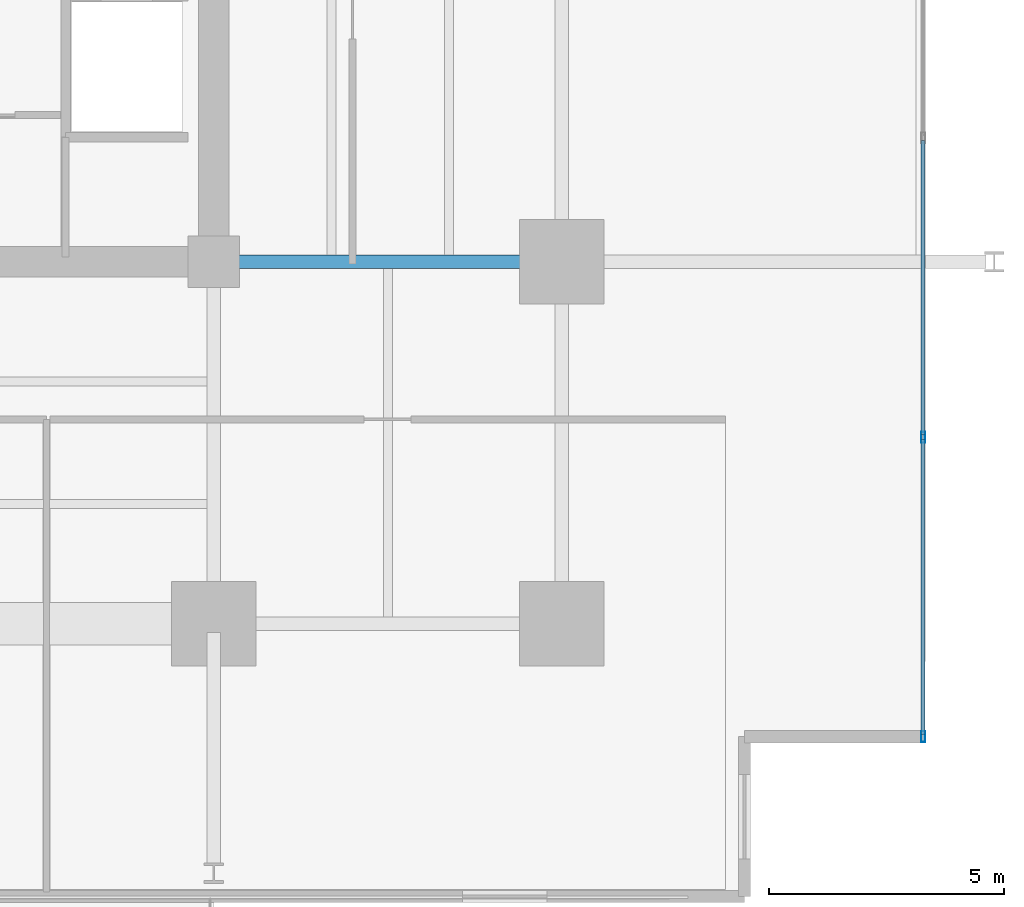
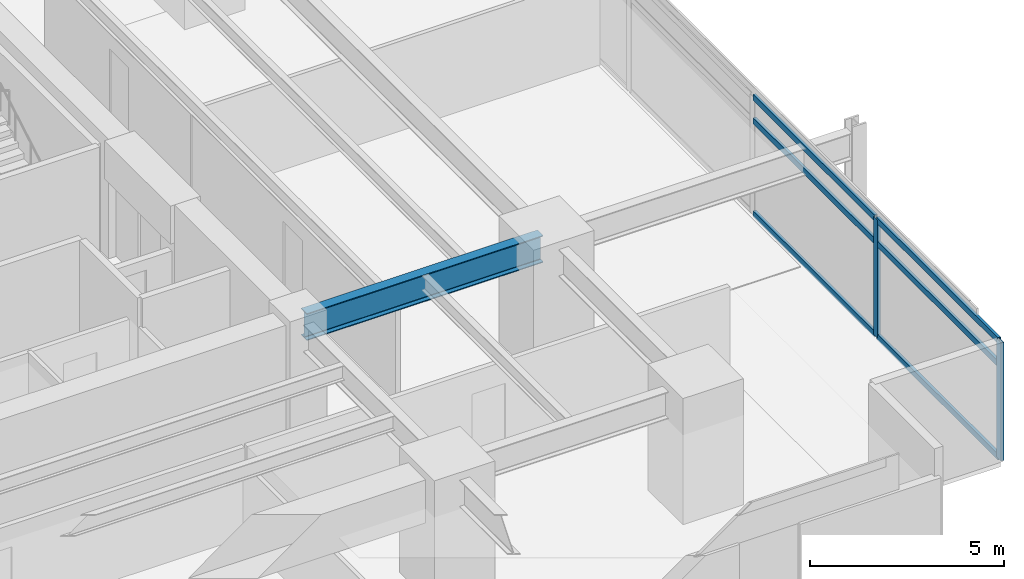
# One storey, part 7 of 22: 8 members, 1 beam, 1 element without a shape of its own.
"""IFC4 building model written with IfcOpenShell, lengths in metres."""

from ifc_helpers import new_model, si_unit, direction, frame, origin, origin_2d, place, context, subcontext, project, spatial, hollow_rectangle, i_section, extrude, material, material_profile, profile_set, type_object, element, aggregate, save


model = new_model("IFC4")

# Units and contexts
model_context = context("Model", 3, precision=1e-05, world=origin(), true_north=direction((0.0, 1.0)))
body_context = subcontext(model_context, "Body", "Model", "MODEL_VIEW")
ifc_project = project(units=[si_unit("LENGTHUNIT", "METRE"), si_unit("AREAUNIT", "SQUARE_METRE"), si_unit("VOLUMEUNIT", "CUBIC_METRE"), si_unit("PLANEANGLEUNIT", "RADIAN"), si_unit("MASSUNIT", "GRAM", prefix="KILO")], contexts=[model_context])

# Site, building, storey
site_placement = place(None, origin())
site = spatial("IfcSite", under=ifc_project, at=site_placement, CompositionType="ELEMENT")
building_placement = place(site_placement, origin())
building = spatial("IfcBuilding", under=site, at=building_placement, Name="Kovane Verandah Tower", CompositionType="ELEMENT")
storey_placement = place(building_placement, frame((0.0, 0.0, 71.60009765625)))
storey = spatial("IfcBuildingStorey", under=building, at=storey_placement, Name="L16", CompositionType="ELEMENT", Elevation=71.60009765625)

# Beam
ifc_material_1 = material(Name="Steel S355", Category="steel")
ifc_material_profile_1 = material_profile(ifc_material_1, i_section(OverallWidth=0.293701171875, OverallDepth=0.850830078125, WebThickness=0.01611328125, FlangeThickness=0.02685546875, FilletRadius=0.017822265625, at=origin_2d()), Name="UB838x292x226")
ifc_profile_set_1 = profile_set([ifc_material_profile_1], Name="Steel S355")
beam_type = type_object("IfcBeamType", Name="BM-UB838x226", PredefinedType="BEAM", material=ifc_profile_set_1)
beam_placement = place(storey_placement, frame((51.179931640625, 18.5, 3.33447265625), z_axis=(1.0, 0.0, 0.0), x_axis=(0.0, 1.0, 0.0)))
element("IfcBeam", 1, at=beam_placement, inside=storey, type_object=beam_type, Name="L16 Primary Tower Girder G-E1", PredefinedType="BEAM", context=body_context, shape_type="SweptSolid", body=[
    extrude(i_section(OverallWidth=0.293701171875, OverallDepth=0.850830078125, WebThickness=0.01611328125, FlangeThickness=0.02685546875, FilletRadius=0.017822265625, at=origin_2d()), origin(), (0.0, 0.0, 1.0), 7.0400390625),
])

# Curtain wall, members
ifc_material_2 = material(Name="Champagne Anodised Aluminium Frame with Low-E Clear Laminated Glass", Category="aluminium")
curtain_wall_type = type_object("IfcCurtainWallType", Name="CW-SYS-02-LOW", PredefinedType="NOTDEFINED", material=ifc_material_2)
curtain_wall_placement = place(storey_placement, origin())
curtain_wall = element("IfcCurtainWall", 2, at=curtain_wall_placement, inside=storey, type_object=curtain_wall_type, Name="L16 E Unitised Curtain Wall", PredefinedType="NOTDEFINED")
ifc_material_3 = material(Name="Champagne Anodised Aluminium 6063-T6", Category="aluminium")
ifc_material_profile_2 = material_profile(ifc_material_3, hollow_rectangle(XDim=0.0849609375, YDim=0.22998046875, WallThickness=0.00390625, at=origin_2d()), Name="AL85x230x4")
ifc_profile_set_2 = profile_set([ifc_material_profile_2], Name="Champagne Anodised Aluminium 6063-T6")
member_type_1 = type_object("IfcMemberType", Name="CW-MUL-85x230", PredefinedType="MULLION", material=ifc_profile_set_2)
member_1_placement = place(storey_placement, frame((66.08642578125, 8.3994140625, 0.02001953125), z_axis=(0.0, 0.0, 1.0), x_axis=(1.0, 0.0, 0.0)))
member_1 = element("IfcMember", 3, at=member_1_placement, type_object=member_type_1, Name="L16 E Unitised Curtain Wall Mullion 1", PredefinedType="MULLION", context=body_context, shape_type="SweptSolid", body=[
    extrude(hollow_rectangle(XDim=0.0849609375, YDim=0.22998046875, WallThickness=0.00390625, at=origin_2d()), origin(), (0.0, 0.0, 1.0), 3.719970703125),
])
member_2_placement = place(storey_placement, frame((66.08642578125, 14.766357421875, 0.02001953125), z_axis=(0.0, 0.0, 1.0), x_axis=(1.0, 0.0, 0.0)))
member_2 = element("IfcMember", 4, at=member_2_placement, type_object=member_type_1, Name="L16 E Unitised Curtain Wall Mullion 2", PredefinedType="MULLION", context=body_context, shape_type="SweptSolid", body=[
    extrude(hollow_rectangle(XDim=0.0849609375, YDim=0.22998046875, WallThickness=0.00390625, at=origin_2d()), origin(), (0.0, 0.0, 1.0), 3.719970703125),
])
ifc_material_profile_3 = material_profile(ifc_material_3, hollow_rectangle(XDim=0.0849609375, YDim=0.18994140625, WallThickness=0.00390625, at=origin_2d()), Name="AL85x190x4")
ifc_profile_set_3 = profile_set([ifc_material_profile_3], Name="Champagne Anodised Aluminium 6063-T6")
member_type_2 = type_object("IfcMemberType", Name="CW-TRN-85x190", PredefinedType="USERDEFINED", material=ifc_profile_set_3)
member_3_placement = place(storey_placement, frame((66.08642578125, 8.449462890625, 0.0498046875), z_axis=(0.0, 1.0, 0.0), x_axis=(-1.0, 0.0, 0.0)))
member_3 = element("IfcMember", 5, at=member_3_placement, type_object=member_type_2, Name="L16 E Unitised Curtain Wall Transom TB Bay 1", ObjectType="TRANSOM", PredefinedType="USERDEFINED", context=body_context, shape_type="SweptSolid", body=[
    extrude(hollow_rectangle(XDim=0.0849609375, YDim=0.18994140625, WallThickness=0.00390625, at=origin_2d()), origin(), (0.0, 0.0, 1.0), 6.266845703125),
])
member_4_placement = place(storey_placement, frame((66.08642578125, 8.449462890625, 2.97998046875), z_axis=(0.0, 1.0, 0.0), x_axis=(-1.0, 0.0, 0.0)))
member_4 = element("IfcMember", 6, at=member_4_placement, type_object=member_type_2, Name="L16 E Unitised Curtain Wall Transom TM Bay 1", ObjectType="TRANSOM", PredefinedType="USERDEFINED", context=body_context, shape_type="SweptSolid", body=[
    extrude(hollow_rectangle(XDim=0.0849609375, YDim=0.18994140625, WallThickness=0.00390625, at=origin_2d()), origin(), (0.0, 0.0, 1.0), 6.266845703125),
])
member_5_placement = place(storey_placement, frame((66.08642578125, 8.449462890625, 3.7099609375), z_axis=(0.0, 1.0, 0.0), x_axis=(-1.0, 0.0, 0.0)))
member_5 = element("IfcMember", 7, at=member_5_placement, type_object=member_type_2, Name="L16 E Unitised Curtain Wall Transom TT Bay 1", ObjectType="TRANSOM", PredefinedType="USERDEFINED", context=body_context, shape_type="SweptSolid", body=[
    extrude(hollow_rectangle(XDim=0.0849609375, YDim=0.18994140625, WallThickness=0.00390625, at=origin_2d()), origin(), (0.0, 0.0, 1.0), 6.266845703125),
])
member_6_placement = place(storey_placement, frame((66.08642578125, 14.81640625, 0.0498046875), z_axis=(0.0, 1.0, 0.0), x_axis=(-1.0, 0.0, 0.0)))
member_6 = element("IfcMember", 8, at=member_6_placement, type_object=member_type_2, Name="L16 E Unitised Curtain Wall Transom TB Bay 2", ObjectType="TRANSOM", PredefinedType="USERDEFINED", context=body_context, shape_type="SweptSolid", body=[
    extrude(hollow_rectangle(XDim=0.0849609375, YDim=0.18994140625, WallThickness=0.00390625, at=origin_2d()), origin(), (0.0, 0.0, 1.0), 6.266845703125),
])
member_7_placement = place(storey_placement, frame((66.08642578125, 14.81640625, 2.97998046875), z_axis=(0.0, 1.0, 0.0), x_axis=(-1.0, 0.0, 0.0)))
member_7 = element("IfcMember", 9, at=member_7_placement, type_object=member_type_2, Name="L16 E Unitised Curtain Wall Transom TM Bay 2", ObjectType="TRANSOM", PredefinedType="USERDEFINED", context=body_context, shape_type="SweptSolid", body=[
    extrude(hollow_rectangle(XDim=0.0849609375, YDim=0.18994140625, WallThickness=0.00390625, at=origin_2d()), origin(), (0.0, 0.0, 1.0), 6.266845703125),
])
member_8_placement = place(storey_placement, frame((66.08642578125, 14.81640625, 3.7099609375), z_axis=(0.0, 1.0, 0.0), x_axis=(-1.0, 0.0, 0.0)))
member_8 = element("IfcMember", 10, at=member_8_placement, type_object=member_type_2, Name="L16 E Unitised Curtain Wall Transom TT Bay 2", ObjectType="TRANSOM", PredefinedType="USERDEFINED", context=body_context, shape_type="SweptSolid", body=[
    extrude(hollow_rectangle(XDim=0.0849609375, YDim=0.18994140625, WallThickness=0.00390625, at=origin_2d()), origin(), (0.0, 0.0, 1.0), 6.266845703125),
])
aggregate(curtain_wall, [member_1, member_2, member_3, member_4, member_5, member_6, member_7, member_8])

save(model, "model.ifc")
